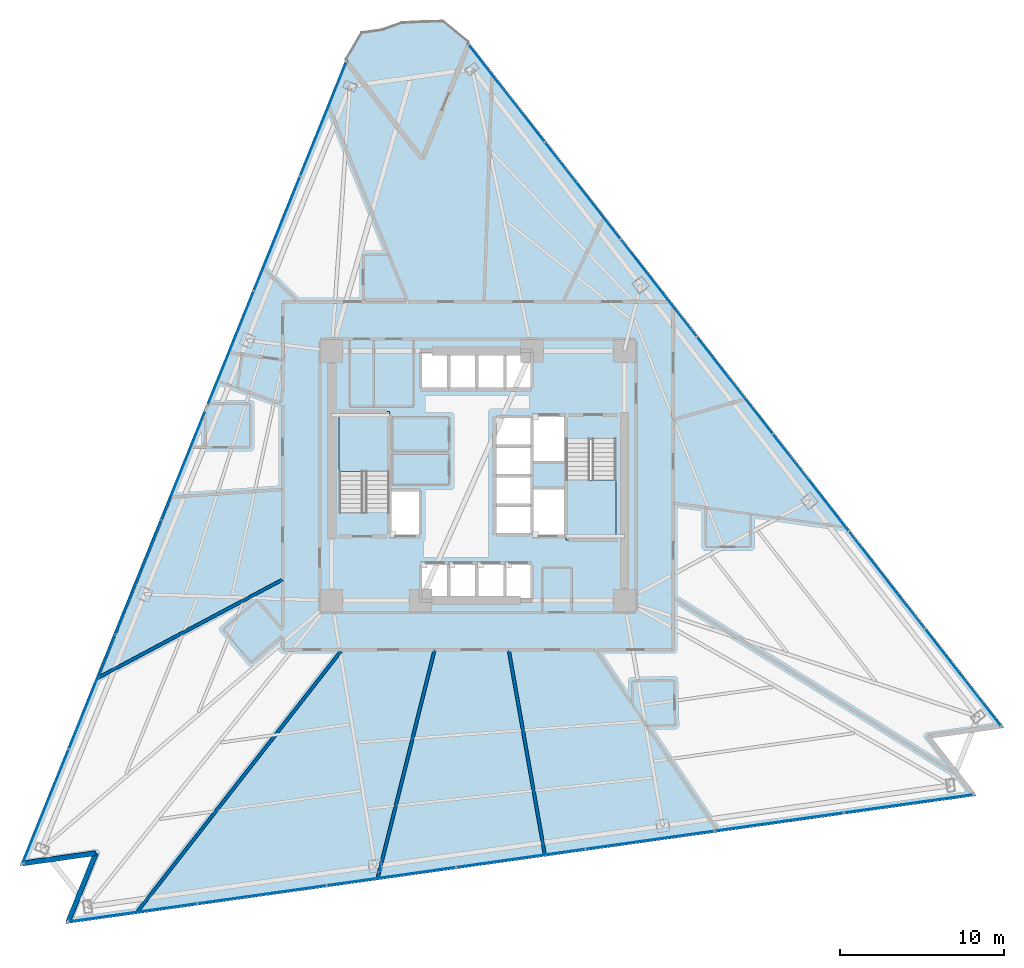
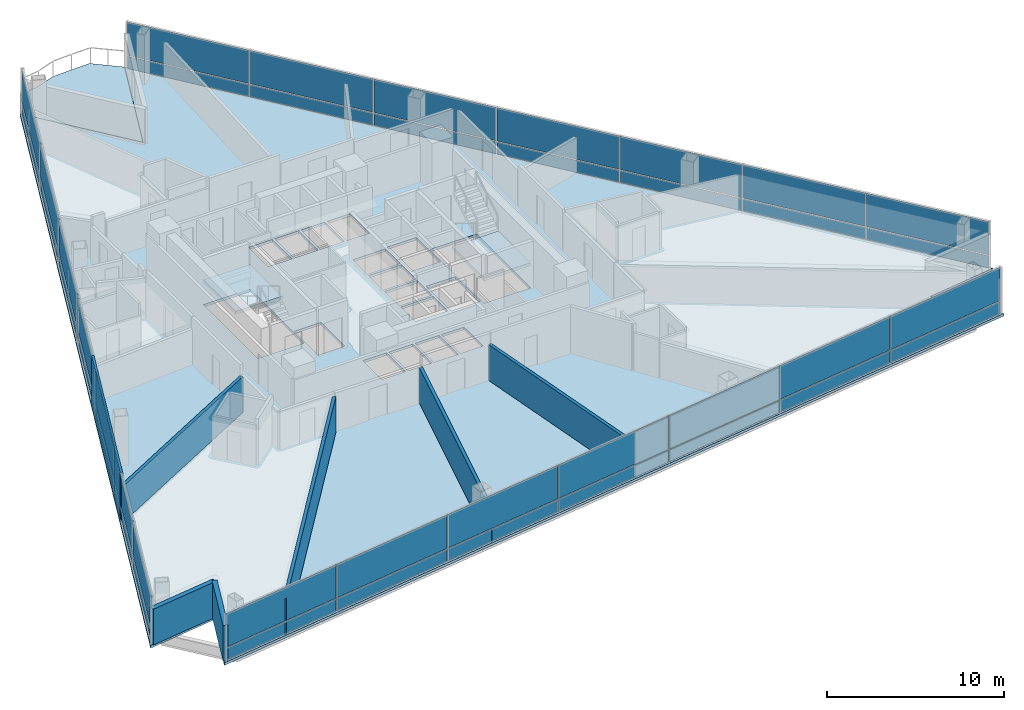
# One storey, part 6 of 15: 42 plates, 7 walls, 4 slabs, 5 elements without a shape of their own.
"""IFC4 building model written with IfcOpenShell, lengths in metres."""

import ifcopenshell
import ifcopenshell.guid

model = None  # the IFC model being written
_history = None  # IfcOwnerHistory: only IFC2X3 demands one
_inside = {}  # id of a spatial element -> (the spatial element, [elements in it])
_under = {}  # id of a project, library or spatial element -> (it, [spatial elements below it])
_declared = {}  # id of a project -> (the project, [libraries it declares])
_typed = {}  # id of a type object -> (the type object, [elements of that type])
_made_of = {}  # id of a material, layer set ... -> (it, [elements and type objects made of it])


def new_model(schema):
    """Start an empty IFC model of exactly this schema.

    Asked for "IFC4X3", IfcOpenShell would pick the latest addendum, in which some entities
    have other attributes; the version numbers below select the first issue.
    IFC2X3 requires an IfcOwnerHistory on every rooted entity: one is made here for all.
    """
    global model, _history
    if schema == "IFC4X3":
        model = ifcopenshell.file(schema_version=(4, 3, 0, 0))
    else:
        model = ifcopenshell.file(schema=schema)
    _inside.clear()
    _under.clear()
    _declared.clear()
    _typed.clear()
    _made_of.clear()
    _history = None
    if model.schema == "IFC2X3":
        org = make("IfcOrganization", Name="unknown")
        user = make(
            "IfcPersonAndOrganization",
            ThePerson=make("IfcPerson", FamilyName="unknown"),
            TheOrganization=org,
        )
        app = make(
            "IfcApplication",
            ApplicationDeveloper=org,
            Version="unknown",
            ApplicationFullName="unknown",
            ApplicationIdentifier="unknown",
        )
        _history = make(
            "IfcOwnerHistory",
            OwningUser=user,
            OwningApplication=app,
            ChangeAction="ADDED",
            CreationDate=0,
        )
    return model


def make(cls, **values):
    """One entity of the class cls with the attributes given. An attribute that is None is left unset."""
    return model.create_entity(
        cls, **{name: value for name, value in values.items() if value is not None}
    )


def rooted(cls, **values):
    """An entity with a GlobalId (a new one), such as an element, a storey or a relation."""
    return make(cls, GlobalId=ifcopenshell.guid.new(), OwnerHistory=_history, **values)


def si_unit(unit_type, name, prefix=None):
    """IfcSIUnit, for example si_unit("LENGTHUNIT", "METRE", prefix="MILLI")."""
    return make("IfcSIUnit", UnitType=unit_type, Prefix=prefix, Name=name)


def assignment(units):
    """IfcUnitAssignment: the units of a project."""
    return None if units is None else make("IfcUnitAssignment", Units=units)


def point(xyz):
    """IfcCartesianPoint."""
    return None if xyz is None else make("IfcCartesianPoint", Coordinates=xyz)


def direction(xyz):
    """IfcDirection."""
    return None if xyz is None else make("IfcDirection", DirectionRatios=xyz)


def frame(location, z_axis=None, x_axis=None):
    """IfcAxis2Placement3D, a coordinate frame: its origin and axes. An axis left out is left unset."""
    return make(
        "IfcAxis2Placement3D",
        Location=point(location),
        Axis=direction(z_axis),
        RefDirection=direction(x_axis),
    )


def frame_2d(location, x_axis=None):
    """IfcAxis2Placement2D, a coordinate frame in the plane: its origin and x axis."""
    return make(
        "IfcAxis2Placement2D", Location=point(location), RefDirection=direction(x_axis)
    )


def origin():
    """The frame at (0, 0, 0) with its axes left unset."""
    return frame((0.0, 0.0, 0.0))


def origin_2d():
    """The frame at (0, 0) in the plane with its x axis left unset."""
    return frame_2d((0.0, 0.0))


def place(relative_to, where):
    """IfcLocalPlacement: puts the frame where relative to a parent placement (None: the world)."""
    return make(
        "IfcLocalPlacement", PlacementRelTo=relative_to, RelativePlacement=where
    )


def context(
    kind, dimensions, precision=None, world=None, true_north=None, identifier=None
):
    """IfcGeometricRepresentationContext, for example the 3D "Model" context."""
    return make(
        "IfcGeometricRepresentationContext",
        ContextIdentifier=identifier,
        ContextType=kind,
        CoordinateSpaceDimension=dimensions,
        Precision=precision,
        WorldCoordinateSystem=world,
        TrueNorth=true_north,
    )


def subcontext(parent, identifier, kind, view, scale=None):
    """IfcGeometricRepresentationSubContext, for example "Body" below "Model"."""
    return make(
        "IfcGeometricRepresentationSubContext",
        ContextIdentifier=identifier,
        ContextType=kind,
        ParentContext=parent,
        TargetScale=scale,
        TargetView=view,
    )


def project(units=None, contexts=None):
    """IfcProject with its units and contexts."""
    return rooted(
        "IfcProject",
        Name="project",
        RepresentationContexts=contexts,
        UnitsInContext=assignment(units),
    )


def spatial(cls, under=None, at=None, **own):
    """A site, building, storey or space (cls), placed at a placement, below another one or the project."""
    s = rooted(cls, ObjectPlacement=at, **own)
    if under is not None:
        _under.setdefault(under.id(), (under, []))[1].append(s)
    return s


def polyline(points):
    """IfcPolyline through the points."""
    return make("IfcPolyline", Points=[point(p) for p in points])


def profile(cls, at=None, kind="AREA", **sizes):
    """A parametric profile (cls). Its sizes go by their IFC names, for example OverallWidth=200.0."""
    return make(cls, ProfileType=kind, Position=at, **sizes)


def rectangle(**sizes):
    """IfcRectangleProfileDef."""
    return profile("IfcRectangleProfileDef", **sizes)


def outline(outer, holes=None, kind="AREA"):
    """IfcArbitraryClosedProfileDef: a profile drawn as a closed curve; with holes, ...WithVoids."""
    if holes is None:
        return make("IfcArbitraryClosedProfileDef", ProfileType=kind, OuterCurve=outer)
    return make(
        "IfcArbitraryProfileDefWithVoids",
        ProfileType=kind,
        OuterCurve=outer,
        InnerCurves=holes,
    )


def extrude(swept, where, along, depth):
    """IfcExtrudedAreaSolid: the profile swept, set in the frame where, extruded along a direction by depth."""
    return make(
        "IfcExtrudedAreaSolid",
        SweptArea=swept,
        Position=where,
        ExtrudedDirection=direction(along),
        Depth=depth,
    )


def shape(context_of_items, identifier, shape_type, items):
    """IfcShapeRepresentation: the items that make up one representation, for example the "Body"."""
    return make(
        "IfcShapeRepresentation",
        ContextOfItems=context_of_items,
        RepresentationIdentifier=identifier,
        RepresentationType=shape_type,
        Items=items,
    )


def material(Name=None, Category=None):
    """IfcMaterial."""
    return make("IfcMaterial", Name=Name, Category=Category)


def layer(
    of_material, thickness, ventilated=None, Name=None, Category=None, Priority=None
):
    """IfcMaterialLayer: one layer of a wall or slab, of a material (None: an air gap)."""
    return make(
        "IfcMaterialLayer",
        Material=of_material,
        LayerThickness=thickness,
        IsVentilated=ventilated,
        Name=Name,
        Category=Category,
        Priority=Priority,
    )


def layer_set(layers, Name=None):
    """IfcMaterialLayerSet."""
    return make("IfcMaterialLayerSet", MaterialLayers=layers, LayerSetName=Name)


def made_of(thing, what):
    """Note that an element or type object is made of a material, layer set ...; save() writes the relation."""
    if what is not None:
        _made_of.setdefault(what.id(), (what, []))[1].append(thing)
    return thing


def type_object(cls, material=None, **own):
    """A type object (cls), such as IfcWallType, which elements share."""
    return made_of(rooted(cls, **own), material)


def element(
    cls,
    number,
    at=None,
    inside=None,
    cuts=None,
    type_object=None,
    material=None,
    context=None,
    identifier="Body",
    shape_type=None,
    held_by="IfcProductDefinitionShape",
    body=None,
    shapes=None,
    **own,
):
    """One element of the class cls, such as IfcWall. Its Tag is "e" and its number.

    at: its placement. inside: the storey or other place that contains it. cuts: it is an
    opening in that element (IfcRelVoidsElement). A single representation is given by context,
    identifier, shape_type and body (its items); several are given by shapes. held_by: the class
    of the entity that holds the representations. save() writes the other relations.
    """
    e = rooted(cls, Tag="e%d" % number, ObjectPlacement=at, **own)
    if body is not None:
        shapes = [shape(context, identifier, shape_type, body)]
    if shapes is not None:
        e.Representation = make(held_by, Representations=shapes)
    if inside is not None:
        _inside.setdefault(inside.id(), (inside, []))[1].append(e)
    if cuts is not None:
        rooted(
            "IfcRelVoidsElement", RelatingBuildingElement=cuts, RelatedOpeningElement=e
        )
    if type_object is not None:
        _typed.setdefault(type_object.id(), (type_object, []))[1].append(e)
    return made_of(e, material)


def aggregate(whole, parts):
    """IfcRelAggregates: a whole, such as a stair, and the parts it consists of."""
    return rooted("IfcRelAggregates", RelatingObject=whole, RelatedObjects=parts)


def save(model, path):
    """Write the relations noted so far, then the file.

    IfcRelAggregates (storeys below a building ...), IfcRelContainedInSpatialStructure (elements
    in a storey), IfcRelDefinesByType, IfcRelAssociatesMaterial and IfcRelDeclares: one each for
    every whole, place, type object, material and project.
    """
    for whole, parts in _under.values():
        aggregate(whole, parts)
    for where, things in _inside.values():
        rooted(
            "IfcRelContainedInSpatialStructure",
            RelatedElements=things,
            RelatingStructure=where,
        )
    for kind, things in _typed.values():
        rooted("IfcRelDefinesByType", RelatedObjects=things, RelatingType=kind)
    for what, things in _made_of.values():
        rooted("IfcRelAssociatesMaterial", RelatedObjects=things, RelatingMaterial=what)
    for by, libraries in _declared.values():
        rooted("IfcRelDeclares", RelatingContext=by, RelatedDefinitions=libraries)
    model.write(path)


model = new_model("IFC4")

# Units and contexts
model_context = context("Model", 3, precision=1e-05, world=origin(), true_north=direction((0.0, 1.0)))
body_context = subcontext(model_context, "Body", "Model", "MODEL_VIEW")
ifc_project = project(units=[si_unit("LENGTHUNIT", "METRE"), si_unit("AREAUNIT", "SQUARE_METRE"), si_unit("VOLUMEUNIT", "CUBIC_METRE"), si_unit("PLANEANGLEUNIT", "RADIAN"), si_unit("MASSUNIT", "GRAM", prefix="KILO")], contexts=[model_context])

# Site, building, storey
site_placement = place(None, origin())
site = spatial("IfcSite", under=ifc_project, at=site_placement, CompositionType="ELEMENT")
building_placement = place(site_placement, origin())
building = spatial("IfcBuilding", under=site, at=building_placement, Name="Tharavind Bronze Gate", CompositionType="ELEMENT")
storey_placement = place(building_placement, frame((0.0, 0.0, 67.300048828125)))
storey = spatial("IfcBuildingStorey", under=building, at=storey_placement, Name="L16", CompositionType="ELEMENT", Elevation=67.300048828125)

# Curtain wall, plates
ifc_material_1 = material(Name="Anodised Bronze Aluminium", Category="aluminium")
ifc_layer_1 = layer(ifc_material_1, 0.219970703125)
ifc_layer_set_1 = layer_set([ifc_layer_1], Name="Anodised Bronze Aluminium")
curtain_wall_type = type_object("IfcCurtainWallType", Name="UNITISED CURTAIN WALL HOTEL", PredefinedType="USERDEFINED", material=ifc_layer_set_1)
curtain_wall_1_placement = place(storey_placement, origin())
curtain_wall_1 = element("IfcCurtainWall", 1, at=curtain_wall_1_placement, inside=storey, type_object=curtain_wall_type, Name="L16 unitised curtain wall hotel CW-L16-S1", ObjectType="UNITISED CURTAIN WALL", PredefinedType="USERDEFINED")
ifc_material_2 = material(Name="Patinated Bronze Alloy Sheet", Category="bronze")
ifc_layer_2 = layer(ifc_material_2, 0.01611328125)
ifc_layer_set_2 = layer_set([ifc_layer_2], Name="Patinated Bronze Alloy Sheet")
plate_type_1 = type_object("IfcPlateType", Name="BRONZE SPANDREL CLADDING PANEL 16", PredefinedType="CURTAIN_PANEL", material=ifc_layer_set_2)
plate_1_placement = place(storey_placement, frame((-9.408203125, 21.69921875, 0.033935546875), z_axis=(0.0, 0.0, 1.0), x_axis=(-0.374606593416, -0.927183854567, 0.0)))
plate_1 = element("IfcPlate", 2, at=plate_1_placement, type_object=plate_type_1, Name="CW-L16-S1 bronze spandrel panel 1", PredefinedType="CURTAIN_PANEL", context=body_context, shape_type="SweptSolid", body=[
    extrude(rectangle(XDim=7.447021484375, YDim=0.01611328125, at=origin_2d()), origin(), (0.0, 0.0, 1.0), 0.83203125),
])
plate_2_placement = place(storey_placement, frame((-12.223388671875, 14.731201171875, 0.033935546875), z_axis=(0.0, 0.0, 1.0), x_axis=(-0.374606593416, -0.927183854567, 0.0)))
plate_2 = element("IfcPlate", 3, at=plate_2_placement, type_object=plate_type_1, Name="CW-L16-S1 bronze spandrel panel 2", PredefinedType="CURTAIN_PANEL", context=body_context, shape_type="SweptSolid", body=[
    extrude(rectangle(XDim=7.447021484375, YDim=0.01611328125, at=origin_2d()), origin(), (0.0, 0.0, 1.0), 0.83203125),
])
plate_3_placement = place(storey_placement, frame((-15.038818359375, 7.763427734375, 0.033935546875), z_axis=(0.0, 0.0, 1.0), x_axis=(-0.374606593416, -0.927183854567, 0.0)))
plate_3 = element("IfcPlate", 4, at=plate_3_placement, type_object=plate_type_1, Name="CW-L16-S1 bronze spandrel panel 3", PredefinedType="CURTAIN_PANEL", context=body_context, shape_type="SweptSolid", body=[
    extrude(rectangle(XDim=7.447021484375, YDim=0.01611328125, at=origin_2d()), origin(), (0.0, 0.0, 1.0), 0.83203125),
])
plate_4_placement = place(storey_placement, frame((-17.85400390625, 0.795654296875, 0.033935546875), z_axis=(0.0, 0.0, 1.0), x_axis=(-0.374606593416, -0.927183854567, 0.0)))
plate_4 = element("IfcPlate", 5, at=plate_4_placement, type_object=plate_type_1, Name="CW-L16-S1 bronze spandrel panel 4", PredefinedType="CURTAIN_PANEL", context=body_context, shape_type="SweptSolid", body=[
    extrude(rectangle(XDim=7.447021484375, YDim=0.01611328125, at=origin_2d()), origin(), (0.0, 0.0, 1.0), 0.83203125),
])
plate_5_placement = place(storey_placement, frame((-20.669189453125, -6.17236328125, 0.033935546875), z_axis=(0.0, 0.0, 1.0), x_axis=(-0.374606593416, -0.927183854567, 0.0)))
plate_5 = element("IfcPlate", 6, at=plate_5_placement, type_object=plate_type_1, Name="CW-L16-S1 bronze spandrel panel 5", PredefinedType="CURTAIN_PANEL", context=body_context, shape_type="SweptSolid", body=[
    extrude(rectangle(XDim=7.447021484375, YDim=0.01611328125, at=origin_2d()), origin(), (0.0, 0.0, 1.0), 0.83203125),
])
plate_6_placement = place(storey_placement, frame((-23.484375, -13.14013671875, 0.033935546875), z_axis=(0.0, 0.0, 1.0), x_axis=(-0.374606593416, -0.927183854567, 0.0)))
plate_6 = element("IfcPlate", 7, at=plate_6_placement, type_object=plate_type_1, Name="CW-L16-S1 bronze spandrel panel 6", PredefinedType="CURTAIN_PANEL", context=body_context, shape_type="SweptSolid", body=[
    extrude(rectangle(XDim=7.447021484375, YDim=0.01611328125, at=origin_2d()), origin(), (0.0, 0.0, 1.0), 0.83203125),
])
plate_7_placement = place(storey_placement, frame((-26.299560546875, -20.10791015625, 0.033935546875), z_axis=(0.0, 0.0, 1.0), x_axis=(-0.374606593416, -0.927183854567, 0.0)))
plate_7 = element("IfcPlate", 8, at=plate_7_placement, type_object=plate_type_1, Name="CW-L16-S1 bronze spandrel panel 7", PredefinedType="CURTAIN_PANEL", context=body_context, shape_type="SweptSolid", body=[
    extrude(rectangle(XDim=7.447021484375, YDim=0.01611328125, at=origin_2d()), origin(), (0.0, 0.0, 1.0), 0.83203125),
])

curtain_wall_2_placement = place(storey_placement, origin())
curtain_wall_2 = element("IfcCurtainWall", 9, at=curtain_wall_2_placement, inside=storey, type_object=curtain_wall_type, Name="L16 unitised curtain wall hotel CW-L16-S2", ObjectType="UNITISED CURTAIN WALL", PredefinedType="USERDEFINED")
plate_8_placement = place(storey_placement, frame((-21.00341796875, -26.585205078125, 0.033935546875), z_axis=(0.0, 0.0, 1.0), x_axis=(0.990268068742, 0.13917310096, 0.0)))
plate_8 = element("IfcPlate", 10, at=plate_8_placement, type_object=plate_type_1, Name="CW-L16-S2 bronze spandrel panel 1", PredefinedType="CURTAIN_PANEL", context=body_context, shape_type="SweptSolid", body=[
    extrude(rectangle(XDim=7.87548828125, YDim=0.01611328125, at=origin_2d()), origin(), (0.0, 0.0, 1.0), 0.83203125),
])
plate_9_placement = place(storey_placement, frame((-13.13720703125, -25.4794921875, 0.033935546875), z_axis=(0.0, 0.0, 1.0), x_axis=(0.990268068742, 0.13917310096, 0.0)))
plate_9 = element("IfcPlate", 11, at=plate_9_placement, type_object=plate_type_1, Name="CW-L16-S2 bronze spandrel panel 2", PredefinedType="CURTAIN_PANEL", context=body_context, shape_type="SweptSolid", body=[
    extrude(rectangle(XDim=7.87548828125, YDim=0.01611328125, at=origin_2d()), origin(), (0.0, 0.0, 1.0), 0.83203125),
])
plate_10_placement = place(storey_placement, frame((-5.270751953125, -24.3740234375, 0.033935546875), z_axis=(0.0, 0.0, 1.0), x_axis=(0.990268068742, 0.13917310096, 0.0)))
plate_10 = element("IfcPlate", 12, at=plate_10_placement, type_object=plate_type_1, Name="CW-L16-S2 bronze spandrel panel 3", PredefinedType="CURTAIN_PANEL", context=body_context, shape_type="SweptSolid", body=[
    extrude(rectangle(XDim=7.87548828125, YDim=0.01611328125, at=origin_2d()), origin(), (0.0, 0.0, 1.0), 0.83203125),
])
plate_11_placement = place(storey_placement, frame((2.595703125, -23.2685546875, 0.033935546875), z_axis=(0.0, 0.0, 1.0), x_axis=(0.990268068742, 0.13917310096, 0.0)))
plate_11 = element("IfcPlate", 13, at=plate_11_placement, type_object=plate_type_1, Name="CW-L16-S2 bronze spandrel panel 4", PredefinedType="CURTAIN_PANEL", context=body_context, shape_type="SweptSolid", body=[
    extrude(rectangle(XDim=7.87548828125, YDim=0.01611328125, at=origin_2d()), origin(), (0.0, 0.0, 1.0), 0.83203125),
])
plate_12_placement = place(storey_placement, frame((10.4619140625, -22.1630859375, 0.033935546875), z_axis=(0.0, 0.0, 1.0), x_axis=(0.990268068742, 0.13917310096, 0.0)))
plate_12 = element("IfcPlate", 14, at=plate_12_placement, type_object=plate_type_1, Name="CW-L16-S2 bronze spandrel panel 5", PredefinedType="CURTAIN_PANEL", context=body_context, shape_type="SweptSolid", body=[
    extrude(rectangle(XDim=7.87548828125, YDim=0.01611328125, at=origin_2d()), origin(), (0.0, 0.0, 1.0), 0.83203125),
])
plate_13_placement = place(storey_placement, frame((18.328369140625, -21.057373046875, 0.033935546875), z_axis=(0.0, 0.0, 1.0), x_axis=(0.990268068742, 0.13917310096, 0.0)))
plate_13 = element("IfcPlate", 15, at=plate_13_placement, type_object=plate_type_1, Name="CW-L16-S2 bronze spandrel panel 6", PredefinedType="CURTAIN_PANEL", context=body_context, shape_type="SweptSolid", body=[
    extrude(rectangle(XDim=7.87548828125, YDim=0.01611328125, at=origin_2d()), origin(), (0.0, 0.0, 1.0), 0.83203125),
])
plate_14_placement = place(storey_placement, frame((26.194580078125, -19.951904296875, 0.033935546875), z_axis=(0.0, 0.0, 1.0), x_axis=(0.990268068742, 0.13917310096, 0.0)))
plate_14 = element("IfcPlate", 16, at=plate_14_placement, type_object=plate_type_1, Name="CW-L16-S2 bronze spandrel panel 7", PredefinedType="CURTAIN_PANEL", context=body_context, shape_type="SweptSolid", body=[
    extrude(rectangle(XDim=7.87548828125, YDim=0.01611328125, at=origin_2d()), origin(), (0.0, 0.0, 1.0), 0.83203125),
])

curtain_wall_3_placement = place(storey_placement, origin())
curtain_wall_3 = element("IfcCurtainWall", 17, at=curtain_wall_3_placement, inside=storey, type_object=curtain_wall_type, Name="L16 unitised curtain wall hotel CW-L16-S3", ObjectType="UNITISED CURTAIN WALL", PredefinedType="USERDEFINED")
plate_15_placement = place(storey_placement, frame((29.5, -12.265869140625, 0.033935546875), z_axis=(0.0, 0.0, 1.0), x_axis=(-0.615661475326, 0.788010753607, 0.0)))
plate_15 = element("IfcPlate", 18, at=plate_15_placement, type_object=plate_type_1, Name="CW-L16-S3 bronze spandrel panel 1", PredefinedType="CURTAIN_PANEL", context=body_context, shape_type="SweptSolid", body=[
    extrude(rectangle(XDim=7.447021484375, YDim=0.01611328125, at=origin_2d()), origin(), (0.0, 0.0, 1.0), 0.83203125),
])
plate_16_placement = place(storey_placement, frame((24.873291015625, -6.343994140625, 0.033935546875), z_axis=(0.0, 0.0, 1.0), x_axis=(-0.615661475326, 0.788010753607, 0.0)))
plate_16 = element("IfcPlate", 19, at=plate_16_placement, type_object=plate_type_1, Name="CW-L16-S3 bronze spandrel panel 2", PredefinedType="CURTAIN_PANEL", context=body_context, shape_type="SweptSolid", body=[
    extrude(rectangle(XDim=7.447021484375, YDim=0.01611328125, at=origin_2d()), origin(), (0.0, 0.0, 1.0), 0.83203125),
])
plate_17_placement = place(storey_placement, frame((20.24658203125, -0.421875, 0.033935546875), z_axis=(0.0, 0.0, 1.0), x_axis=(-0.615661475326, 0.788010753607, 0.0)))
plate_17 = element("IfcPlate", 20, at=plate_17_placement, type_object=plate_type_1, Name="CW-L16-S3 bronze spandrel panel 3", PredefinedType="CURTAIN_PANEL", context=body_context, shape_type="SweptSolid", body=[
    extrude(rectangle(XDim=7.447021484375, YDim=0.01611328125, at=origin_2d()), origin(), (0.0, 0.0, 1.0), 0.83203125),
])
plate_18_placement = place(storey_placement, frame((15.619873046875, 5.5, 0.033935546875), z_axis=(0.0, 0.0, 1.0), x_axis=(-0.615661475326, 0.788010753607, 0.0)))
plate_18 = element("IfcPlate", 21, at=plate_18_placement, type_object=plate_type_1, Name="CW-L16-S3 bronze spandrel panel 4", PredefinedType="CURTAIN_PANEL", context=body_context, shape_type="SweptSolid", body=[
    extrude(rectangle(XDim=7.447021484375, YDim=0.01611328125, at=origin_2d()), origin(), (0.0, 0.0, 1.0), 0.83203125),
])
plate_19_placement = place(storey_placement, frame((10.9931640625, 11.422119140625, 0.033935546875), z_axis=(0.0, 0.0, 1.0), x_axis=(-0.615661475326, 0.788010753607, 0.0)))
plate_19 = element("IfcPlate", 22, at=plate_19_placement, type_object=plate_type_1, Name="CW-L16-S3 bronze spandrel panel 5", PredefinedType="CURTAIN_PANEL", context=body_context, shape_type="SweptSolid", body=[
    extrude(rectangle(XDim=7.447021484375, YDim=0.01611328125, at=origin_2d()), origin(), (0.0, 0.0, 1.0), 0.83203125),
])
plate_20_placement = place(storey_placement, frame((6.366455078125, 17.343994140625, 0.033935546875), z_axis=(0.0, 0.0, 1.0), x_axis=(-0.615661475326, 0.788010753607, 0.0)))
plate_20 = element("IfcPlate", 23, at=plate_20_placement, type_object=plate_type_1, Name="CW-L16-S3 bronze spandrel panel 6", PredefinedType="CURTAIN_PANEL", context=body_context, shape_type="SweptSolid", body=[
    extrude(rectangle(XDim=7.447021484375, YDim=0.01611328125, at=origin_2d()), origin(), (0.0, 0.0, 1.0), 0.83203125),
])
plate_21_placement = place(storey_placement, frame((1.73974609375, 23.265869140625, 0.033935546875), z_axis=(0.0, 0.0, 1.0), x_axis=(-0.615661475326, 0.788010753607, 0.0)))
plate_21 = element("IfcPlate", 24, at=plate_21_placement, type_object=plate_type_1, Name="CW-L16-S3 bronze spandrel panel 7", PredefinedType="CURTAIN_PANEL", context=body_context, shape_type="SweptSolid", body=[
    extrude(rectangle(XDim=7.447021484375, YDim=0.01611328125, at=origin_2d()), origin(), (0.0, 0.0, 1.0), 0.83203125),
])

# Plate
ifc_material_3 = material(Name="Low-E Double Glazing", Category="glass")
ifc_layer_3 = layer(ifc_material_3, 0.031982421875)
ifc_layer_set_3 = layer_set([ifc_layer_3], Name="Low-E Double Glazing")
plate_type_2 = type_object("IfcPlateType", Name="DOUBLE GLAZED FACADE PANEL 32", PredefinedType="CURTAIN_PANEL", material=ifc_layer_set_3)
plate_22_placement = place(storey_placement, frame((-9.408203125, 21.69921875, 0.93408203125), z_axis=(0.0, 0.0, 1.0), x_axis=(-0.374606593416, -0.927183854567, 0.0)))
plate_22 = element("IfcPlate", 25, at=plate_22_placement, type_object=plate_type_2, Name="CW-L16-S1 vision glazing panel 1", PredefinedType="CURTAIN_PANEL", context=body_context, shape_type="SweptSolid", body=[
    extrude(rectangle(XDim=7.447021484375, YDim=0.031982421875, at=origin_2d()), origin(), (0.0, 0.0, 1.0), 2.306884765625),
])

plate_23_placement = place(storey_placement, frame((-12.223388671875, 14.731201171875, 0.93408203125), z_axis=(0.0, 0.0, 1.0), x_axis=(-0.374606593416, -0.927183854567, 0.0)))
plate_23 = element("IfcPlate", 26, at=plate_23_placement, type_object=plate_type_2, Name="CW-L16-S1 vision glazing panel 2", PredefinedType="CURTAIN_PANEL", context=body_context, shape_type="SweptSolid", body=[
    extrude(rectangle(XDim=7.447021484375, YDim=0.031982421875, at=origin_2d()), origin(), (0.0, 0.0, 1.0), 2.306884765625),
])

plate_24_placement = place(storey_placement, frame((-15.038818359375, 7.763427734375, 0.93408203125), z_axis=(0.0, 0.0, 1.0), x_axis=(-0.374606593416, -0.927183854567, 0.0)))
plate_24 = element("IfcPlate", 27, at=plate_24_placement, type_object=plate_type_2, Name="CW-L16-S1 vision glazing panel 3", PredefinedType="CURTAIN_PANEL", context=body_context, shape_type="SweptSolid", body=[
    extrude(rectangle(XDim=7.447021484375, YDim=0.031982421875, at=origin_2d()), origin(), (0.0, 0.0, 1.0), 2.306884765625),
])

plate_25_placement = place(storey_placement, frame((-17.85400390625, 0.795654296875, 0.93408203125), z_axis=(0.0, 0.0, 1.0), x_axis=(-0.374606593416, -0.927183854567, 0.0)))
plate_25 = element("IfcPlate", 28, at=plate_25_placement, type_object=plate_type_2, Name="CW-L16-S1 vision glazing panel 4", PredefinedType="CURTAIN_PANEL", context=body_context, shape_type="SweptSolid", body=[
    extrude(rectangle(XDim=7.447021484375, YDim=0.031982421875, at=origin_2d()), origin(), (0.0, 0.0, 1.0), 2.306884765625),
])

plate_26_placement = place(storey_placement, frame((-20.669189453125, -6.17236328125, 0.93408203125), z_axis=(0.0, 0.0, 1.0), x_axis=(-0.374606593416, -0.927183854567, 0.0)))
plate_26 = element("IfcPlate", 29, at=plate_26_placement, type_object=plate_type_2, Name="CW-L16-S1 vision glazing panel 5", PredefinedType="CURTAIN_PANEL", context=body_context, shape_type="SweptSolid", body=[
    extrude(rectangle(XDim=7.447021484375, YDim=0.031982421875, at=origin_2d()), origin(), (0.0, 0.0, 1.0), 2.306884765625),
])

plate_27_placement = place(storey_placement, frame((-23.484375, -13.14013671875, 0.93408203125), z_axis=(0.0, 0.0, 1.0), x_axis=(-0.374606593416, -0.927183854567, 0.0)))
plate_27 = element("IfcPlate", 30, at=plate_27_placement, type_object=plate_type_2, Name="CW-L16-S1 vision glazing panel 6", PredefinedType="CURTAIN_PANEL", context=body_context, shape_type="SweptSolid", body=[
    extrude(rectangle(XDim=7.447021484375, YDim=0.031982421875, at=origin_2d()), origin(), (0.0, 0.0, 1.0), 2.306884765625),
])

plate_28_placement = place(storey_placement, frame((-26.299560546875, -20.10791015625, 0.93408203125), z_axis=(0.0, 0.0, 1.0), x_axis=(-0.374606593416, -0.927183854567, 0.0)))
plate_28 = element("IfcPlate", 31, at=plate_28_placement, type_object=plate_type_2, Name="CW-L16-S1 vision glazing panel 7", PredefinedType="CURTAIN_PANEL", context=body_context, shape_type="SweptSolid", body=[
    extrude(rectangle(XDim=7.447021484375, YDim=0.031982421875, at=origin_2d()), origin(), (0.0, 0.0, 1.0), 2.306884765625),
])

aggregate(curtain_wall_1, [plate_1, plate_22, plate_2, plate_23, plate_3, plate_24, plate_4, plate_25, plate_5, plate_26, plate_6, plate_27, plate_7, plate_28])

plate_29_placement = place(storey_placement, frame((-21.00341796875, -26.585205078125, 0.93408203125), z_axis=(0.0, 0.0, 1.0), x_axis=(0.990268068742, 0.13917310096, 0.0)))
plate_29 = element("IfcPlate", 32, at=plate_29_placement, type_object=plate_type_2, Name="CW-L16-S2 vision glazing panel 1", PredefinedType="CURTAIN_PANEL", context=body_context, shape_type="SweptSolid", body=[
    extrude(rectangle(XDim=7.87548828125, YDim=0.031982421875, at=origin_2d()), origin(), (0.0, 0.0, 1.0), 2.306884765625),
])

plate_30_placement = place(storey_placement, frame((-13.13720703125, -25.4794921875, 0.93408203125), z_axis=(0.0, 0.0, 1.0), x_axis=(0.990268068742, 0.13917310096, 0.0)))
plate_30 = element("IfcPlate", 33, at=plate_30_placement, type_object=plate_type_2, Name="CW-L16-S2 vision glazing panel 2", PredefinedType="CURTAIN_PANEL", context=body_context, shape_type="SweptSolid", body=[
    extrude(rectangle(XDim=7.87548828125, YDim=0.031982421875, at=origin_2d()), origin(), (0.0, 0.0, 1.0), 2.306884765625),
])

plate_31_placement = place(storey_placement, frame((-5.270751953125, -24.3740234375, 0.93408203125), z_axis=(0.0, 0.0, 1.0), x_axis=(0.990268068742, 0.13917310096, 0.0)))
plate_31 = element("IfcPlate", 34, at=plate_31_placement, type_object=plate_type_2, Name="CW-L16-S2 vision glazing panel 3", PredefinedType="CURTAIN_PANEL", context=body_context, shape_type="SweptSolid", body=[
    extrude(rectangle(XDim=7.87548828125, YDim=0.031982421875, at=origin_2d()), origin(), (0.0, 0.0, 1.0), 2.306884765625),
])

plate_32_placement = place(storey_placement, frame((2.595703125, -23.2685546875, 0.93408203125), z_axis=(0.0, 0.0, 1.0), x_axis=(0.990268068742, 0.13917310096, 0.0)))
plate_32 = element("IfcPlate", 35, at=plate_32_placement, type_object=plate_type_2, Name="CW-L16-S2 vision glazing panel 4", PredefinedType="CURTAIN_PANEL", context=body_context, shape_type="SweptSolid", body=[
    extrude(rectangle(XDim=7.87548828125, YDim=0.031982421875, at=origin_2d()), origin(), (0.0, 0.0, 1.0), 2.306884765625),
])

plate_33_placement = place(storey_placement, frame((10.4619140625, -22.1630859375, 0.93408203125), z_axis=(0.0, 0.0, 1.0), x_axis=(0.990268068742, 0.13917310096, 0.0)))
plate_33 = element("IfcPlate", 36, at=plate_33_placement, type_object=plate_type_2, Name="CW-L16-S2 vision glazing panel 5", PredefinedType="CURTAIN_PANEL", context=body_context, shape_type="SweptSolid", body=[
    extrude(rectangle(XDim=7.87548828125, YDim=0.031982421875, at=origin_2d()), origin(), (0.0, 0.0, 1.0), 2.306884765625),
])

plate_34_placement = place(storey_placement, frame((18.328369140625, -21.057373046875, 0.93408203125), z_axis=(0.0, 0.0, 1.0), x_axis=(0.990268068742, 0.13917310096, 0.0)))
plate_34 = element("IfcPlate", 37, at=plate_34_placement, type_object=plate_type_2, Name="CW-L16-S2 vision glazing panel 6", PredefinedType="CURTAIN_PANEL", context=body_context, shape_type="SweptSolid", body=[
    extrude(rectangle(XDim=7.87548828125, YDim=0.031982421875, at=origin_2d()), origin(), (0.0, 0.0, 1.0), 2.306884765625),
])

plate_35_placement = place(storey_placement, frame((26.194580078125, -19.951904296875, 0.93408203125), z_axis=(0.0, 0.0, 1.0), x_axis=(0.990268068742, 0.13917310096, 0.0)))
plate_35 = element("IfcPlate", 38, at=plate_35_placement, type_object=plate_type_2, Name="CW-L16-S2 vision glazing panel 7", PredefinedType="CURTAIN_PANEL", context=body_context, shape_type="SweptSolid", body=[
    extrude(rectangle(XDim=7.87548828125, YDim=0.031982421875, at=origin_2d()), origin(), (0.0, 0.0, 1.0), 2.306884765625),
])

aggregate(curtain_wall_2, [plate_8, plate_29, plate_9, plate_30, plate_10, plate_31, plate_11, plate_32, plate_12, plate_33, plate_13, plate_34, plate_14, plate_35])

plate_36_placement = place(storey_placement, frame((29.5, -12.265869140625, 0.93408203125), z_axis=(0.0, 0.0, 1.0), x_axis=(-0.615661475326, 0.788010753607, 0.0)))
plate_36 = element("IfcPlate", 39, at=plate_36_placement, type_object=plate_type_2, Name="CW-L16-S3 vision glazing panel 1", PredefinedType="CURTAIN_PANEL", context=body_context, shape_type="SweptSolid", body=[
    extrude(rectangle(XDim=7.447021484375, YDim=0.031982421875, at=origin_2d()), origin(), (0.0, 0.0, 1.0), 2.306884765625),
])

plate_37_placement = place(storey_placement, frame((24.873291015625, -6.343994140625, 0.93408203125), z_axis=(0.0, 0.0, 1.0), x_axis=(-0.615661475326, 0.788010753607, 0.0)))
plate_37 = element("IfcPlate", 40, at=plate_37_placement, type_object=plate_type_2, Name="CW-L16-S3 vision glazing panel 2", PredefinedType="CURTAIN_PANEL", context=body_context, shape_type="SweptSolid", body=[
    extrude(rectangle(XDim=7.447021484375, YDim=0.031982421875, at=origin_2d()), origin(), (0.0, 0.0, 1.0), 2.306884765625),
])

plate_38_placement = place(storey_placement, frame((20.24658203125, -0.421875, 0.93408203125), z_axis=(0.0, 0.0, 1.0), x_axis=(-0.615661475326, 0.788010753607, 0.0)))
plate_38 = element("IfcPlate", 41, at=plate_38_placement, type_object=plate_type_2, Name="CW-L16-S3 vision glazing panel 3", PredefinedType="CURTAIN_PANEL", context=body_context, shape_type="SweptSolid", body=[
    extrude(rectangle(XDim=7.447021484375, YDim=0.031982421875, at=origin_2d()), origin(), (0.0, 0.0, 1.0), 2.306884765625),
])

plate_39_placement = place(storey_placement, frame((15.619873046875, 5.5, 0.93408203125), z_axis=(0.0, 0.0, 1.0), x_axis=(-0.615661475326, 0.788010753607, 0.0)))
plate_39 = element("IfcPlate", 42, at=plate_39_placement, type_object=plate_type_2, Name="CW-L16-S3 vision glazing panel 4", PredefinedType="CURTAIN_PANEL", context=body_context, shape_type="SweptSolid", body=[
    extrude(rectangle(XDim=7.447021484375, YDim=0.031982421875, at=origin_2d()), origin(), (0.0, 0.0, 1.0), 2.306884765625),
])

plate_40_placement = place(storey_placement, frame((10.9931640625, 11.422119140625, 0.93408203125), z_axis=(0.0, 0.0, 1.0), x_axis=(-0.615661475326, 0.788010753607, 0.0)))
plate_40 = element("IfcPlate", 43, at=plate_40_placement, type_object=plate_type_2, Name="CW-L16-S3 vision glazing panel 5", PredefinedType="CURTAIN_PANEL", context=body_context, shape_type="SweptSolid", body=[
    extrude(rectangle(XDim=7.447021484375, YDim=0.031982421875, at=origin_2d()), origin(), (0.0, 0.0, 1.0), 2.306884765625),
])

plate_41_placement = place(storey_placement, frame((6.366455078125, 17.343994140625, 0.93408203125), z_axis=(0.0, 0.0, 1.0), x_axis=(-0.615661475326, 0.788010753607, 0.0)))
plate_41 = element("IfcPlate", 44, at=plate_41_placement, type_object=plate_type_2, Name="CW-L16-S3 vision glazing panel 6", PredefinedType="CURTAIN_PANEL", context=body_context, shape_type="SweptSolid", body=[
    extrude(rectangle(XDim=7.447021484375, YDim=0.031982421875, at=origin_2d()), origin(), (0.0, 0.0, 1.0), 2.306884765625),
])

plate_42_placement = place(storey_placement, frame((1.73974609375, 23.265869140625, 0.93408203125), z_axis=(0.0, 0.0, 1.0), x_axis=(-0.615661475326, 0.788010753607, 0.0)))
plate_42 = element("IfcPlate", 45, at=plate_42_placement, type_object=plate_type_2, Name="CW-L16-S3 vision glazing panel 7", PredefinedType="CURTAIN_PANEL", context=body_context, shape_type="SweptSolid", body=[
    extrude(rectangle(XDim=7.447021484375, YDim=0.031982421875, at=origin_2d()), origin(), (0.0, 0.0, 1.0), 2.306884765625),
])

aggregate(curtain_wall_3, [plate_15, plate_36, plate_16, plate_37, plate_17, plate_38, plate_18, plate_39, plate_19, plate_40, plate_20, plate_41, plate_21, plate_42])

# Slab
ifc_material_4 = material(Name="Concrete C40/50", Category="concrete")
ifc_layer_4 = layer(ifc_material_4, 0.175048828125)
ifc_layer_set_4 = layer_set([ifc_layer_4], Name="Concrete C40/50")
slab_type_1 = type_object("IfcSlabType", Name="EXTERIOR BALCONY SLAB 175", PredefinedType="FLOOR", material=ifc_layer_set_4)
slab_1_placement = place(storey_placement, frame((0.0, 0.0, -0.175048828125)))
element("IfcSlab", 46, at=slab_1_placement, inside=storey, type_object=slab_type_1, Name="L16 northeast tree balcony slab", PredefinedType="FLOOR", context=body_context, shape_type="SweptSolid", body=[
    extrude(outline(polyline([(-2.13671875, 27.72412109375), (-3.39501953125, 27.6962890625), (-4.648681640625, 27.6337890625), (-5.85009765625, 27.2021484375), (-7.088134765625, 27.028076171875), (-8.028564453125, 25.381103515625), (-3.4111328125, 19.47119140625), (-0.6015625, 26.425048828125), (-2.13671875, 27.72412109375)])), origin(), (0.0, 0.0, 1.0), 0.175048828125),
])

# Stair, slab
stair_type = type_object("IfcStairType", Name="CORE HALF TURN STAIR 1450", PredefinedType="HALF_TURN_STAIR", material=ifc_material_4)
stair_1_placement = place(storey_placement, origin())
stair_1 = element("IfcStair", 47, at=stair_1_placement, inside=storey, type_object=stair_type, Name="L16 Protected Exit Stair ST1", PredefinedType="HALF_TURN_STAIR")
ifc_layer_5 = layer(ifc_material_4, 0.199951171875)
ifc_layer_set_5 = layer_set([ifc_layer_5], Name="Concrete C40/50")
slab_type_2 = type_object("IfcSlabType", Name="STAIR LANDING SLAB 200", PredefinedType="LANDING", material=ifc_layer_set_5)
slab_2_placement = place(storey_placement, frame((0.0, 0.0, 1.52490234375)))
slab_2 = element("IfcSlab", 48, at=slab_2_placement, type_object=slab_type_2, Name="ST1 landing 1", PredefinedType="LANDING", context=body_context, shape_type="SweptSolid", body=[
    extrude(outline(polyline([(-5.39990234375, 0.27001953125), (-5.39990234375, 3.89990234375), (-8.449951171875, 3.89990234375), (-8.449951171875, 0.27001953125), (-5.39990234375, 0.27001953125)])), origin(), (0.0, 0.0, 1.0), 0.199951171875),
])
aggregate(stair_1, [slab_2])

stair_2_placement = place(storey_placement, origin())
stair_2 = element("IfcStair", 49, at=stair_2_placement, inside=storey, type_object=stair_type, Name="L16 Protected Exit Stair ST2", PredefinedType="HALF_TURN_STAIR")
slab_3_placement = place(storey_placement, frame((0.0, 0.0, 1.52490234375)))
slab_3 = element("IfcSlab", 50, at=slab_3_placement, type_object=slab_type_2, Name="ST2 landing 1", PredefinedType="LANDING", context=body_context, shape_type="SweptSolid", body=[
    extrude(outline(polyline([(5.35009765625, -0.27001953125), (5.35009765625, -3.89990234375), (8.39990234375, -3.89990234375), (8.39990234375, -0.27001953125), (5.35009765625, -0.27001953125)])), origin(), (0.0, 0.0, 1.0), 0.199951171875),
])
aggregate(stair_2, [slab_3])

# Slab
ifc_layer_6 = layer(ifc_material_4, 0.175048828125)
ifc_layer_set_6 = layer_set([ifc_layer_6], Name="Concrete C40/50")
slab_type_3 = type_object("IfcSlabType", Name="STRUCTURAL FLOOR SLAB 175", PredefinedType="FLOOR", material=ifc_layer_set_6)
slab_4_placement = place(storey_placement, frame((0.0, 0.0, -0.175048828125)))
element("IfcSlab", 51, at=slab_4_placement, inside=storey, type_object=slab_type_3, Name="L16 main structural floor slab", PredefinedType="FLOOR", context=body_context, shape_type="SweptSolid", body=[
    extrude(outline(polyline([(-0.6015625, 26.425048828125), (-3.4111328125, 19.47119140625), (-8.028564453125, 25.381103515625), (-27.86474609375, -23.715087890625), (-23.408447265625, -23.088623046875), (-25.09423828125, -27.260986328125), (30.313232421875, -19.47412109375), (27.542724609375, -15.927978515625), (31.998779296875, -15.3017578125), (-0.6015625, 26.425048828125)]), holes=[polyline([(-5.39990234375, -2.215087890625), (-5.39990234375, 3.89990234375), (-8.449951171875, 3.89990234375), (-8.449951171875, -2.215087890625), (-5.39990234375, -2.215087890625)]), polyline([(5.35009765625, 2.215087890625), (5.35009765625, -3.89990234375), (8.39990234375, -3.89990234375), (8.39990234375, 2.215087890625), (5.35009765625, 2.215087890625)]), polyline([(-3.419921875, -7.52001953125), (-1.867431640625, -7.52001953125), (-1.867431640625, -5.3798828125), (-3.419921875, -5.3798828125), (-3.419921875, -7.52001953125)]), polyline([(-1.70751953125, -7.52001953125), (-0.155029296875, -7.52001953125), (-0.155029296875, -5.3798828125), (-1.70751953125, -5.3798828125), (-1.70751953125, -7.52001953125)]), polyline([(0.0048828125, -7.52001953125), (1.5576171875, -7.52001953125), (1.5576171875, -5.3798828125), (0.0048828125, -5.3798828125), (0.0048828125, -7.52001953125)]), polyline([(1.717529296875, -7.52001953125), (3.199951171875, -7.52001953125), (3.199951171875, -5.3798828125), (1.717529296875, -5.3798828125), (1.717529296875, -7.52001953125)]), polyline([(-3.419921875, 5.330078125), (-1.867431640625, 5.330078125), (-1.867431640625, 7.52001953125), (-3.419921875, 7.52001953125), (-3.419921875, 5.330078125)]), polyline([(-1.70751953125, 5.330078125), (-0.155029296875, 5.330078125), (-0.155029296875, 7.52001953125), (-1.70751953125, 7.52001953125), (-1.70751953125, 5.330078125)]), polyline([(0.0048828125, 5.330078125), (1.5576171875, 5.330078125), (1.5576171875, 7.52001953125), (0.0048828125, 7.52001953125), (0.0048828125, 5.330078125)]), polyline([(1.717529296875, 5.330078125), (3.199951171875, 5.330078125), (3.199951171875, 7.52001953125), (1.717529296875, 7.52001953125), (1.717529296875, 5.330078125)]), polyline([(1.080078125, -3.52001953125), (3.199951171875, -3.52001953125), (3.199951171875, -1.8798828125), (1.080078125, -1.8798828125), (1.080078125, -3.52001953125)]), polyline([(1.080078125, -1.719970703125), (3.199951171875, -1.719970703125), (3.199951171875, -0.080078125), (1.080078125, -0.080078125), (1.080078125, -1.719970703125)]), polyline([(1.080078125, 0.080078125), (3.199951171875, 0.080078125), (3.199951171875, 1.719970703125), (1.080078125, 1.719970703125), (1.080078125, 0.080078125)]), polyline([(1.080078125, 1.8798828125), (3.199951171875, 1.8798828125), (3.199951171875, 3.52001953125), (1.080078125, 3.52001953125), (1.080078125, 1.8798828125)]), polyline([(-5.320068359375, -3.6201171875), (-3.580078125, -3.6201171875), (-3.580078125, -0.929931640625), (-5.320068359375, -0.929931640625), (-5.320068359375, -3.6201171875)]), polyline([(3.360107421875, 0.8798828125), (5.27001953125, 0.8798828125), (5.27001953125, 3.6201171875), (3.360107421875, 3.6201171875), (3.360107421875, 0.8798828125)]), polyline([(3.360107421875, -3.6201171875), (5.27001953125, -3.6201171875), (5.27001953125, -0.830078125), (3.360107421875, -0.830078125), (3.360107421875, -3.6201171875)])]), origin(), (0.0, 0.0, 1.0), 0.175048828125),
])

# Walls
ifc_layer_7 = layer(ifc_material_4, 0.300048828125)
ifc_layer_set_7 = layer_set([ifc_layer_7], Name="Concrete C40/50")
wall_type_1 = type_object("IfcWallType", Name="EXTERIOR SPANDREL WALL 300", PredefinedType="STANDARD", material=ifc_layer_set_7)
wall_1_placement = place(storey_placement, frame((-27.70703125, -23.591796875, 0.0), z_axis=(0.0, 0.0, 1.0), x_axis=(0.990269200152, 0.139165050317, 0.0)))
element("IfcWall", 52, at=wall_1_placement, inside=storey, type_object=wall_type_1, Name="L16 notch cheek wall 2A", PredefinedType="STANDARD", context=body_context, shape_type="SweptSolid", body=[
    extrude(rectangle(XDim=4.499755859375, YDim=0.300048828125, at=frame_2d((2.25, 0.0))), origin(), (0.0, 0.0, 1.0), 2.469970703125),
])
wall_2_placement = place(storey_placement, frame((-23.2509765625, -22.965576171875, 0.0), z_axis=(0.0, 0.0, 1.0), x_axis=(-0.374568898324, -0.927199083481, 0.0)))
element("IfcWall", 53, at=wall_2_placement, inside=storey, type_object=wall_type_1, Name="L16 notch cheek wall 2B", PredefinedType="STANDARD", context=body_context, shape_type="SweptSolid", body=[
    extrude(rectangle(XDim=4.5, YDim=0.300048828125, at=frame_2d((2.25, 0.0))), origin(), (0.0, 0.0, 1.0), 2.469970703125),
])
ifc_material_5 = material(Name="Aerated Concrete Block", Category="concrete")
ifc_layer_8 = layer(ifc_material_5, 0.199951171875)
ifc_layer_set_8 = layer_set([ifc_layer_8], Name="Aerated Concrete Block")
wall_type_2 = type_object("IfcWallType", Name="FIRE RATED PARTITION 200", PredefinedType="PARTITIONING", material=ifc_layer_set_8)
wall_3_placement = place(storey_placement, frame((-11.893310546875, -6.32373046875, 0.0), z_axis=(0.0, 0.0, 1.0), x_axis=(-0.882946043117, -0.469474477416, 0.0)))
element("IfcWall", 54, at=wall_3_placement, inside=storey, type_object=wall_type_2, Name="L16 Public Restrooms Block partition", PredefinedType="PARTITIONING", context=body_context, shape_type="SweptSolid", body=[
    extrude(rectangle(XDim=12.7470703125, YDim=0.199951171875, at=frame_2d((6.37353515625, 0.0))), origin(), (0.0, 0.0, 1.0), 2.469970703125),
])
wall_4_placement = place(storey_placement, frame((4.062255859375, -23.0380859375, 0.0), z_axis=(0.0, 0.0, 1.0), x_axis=(-0.173658422676, 0.984805946486, 0.0)))
element("IfcWall", 55, at=wall_4_placement, inside=storey, type_object=wall_type_2, Name="L16 Public Restrooms Block partition", PredefinedType="PARTITIONING", context=body_context, shape_type="SweptSolid", body=[
    extrude(rectangle(XDim=12.620361328125, YDim=0.199951171875, at=frame_2d((6.31005859375, 0.0))), origin(), (0.0, 0.0, 1.0), 2.469970703125),
])
wall_5_placement = place(storey_placement, frame((-8.34814453125, -10.68505859375, 0.0), z_axis=(0.0, 0.0, 1.0), x_axis=(-0.615661230884, -0.788010944585, 0.0)))
element("IfcWall", 56, at=wall_5_placement, inside=storey, type_object=wall_type_2, Name="L16 Deluxe Hotel Suite partition", PredefinedType="PARTITIONING", context=body_context, shape_type="SweptSolid", body=[
    extrude(rectangle(XDim=20.12060546875, YDim=0.199951171875, at=frame_2d((10.060302734375, 0.0))), origin(), (0.0, 0.0, 1.0), 2.469970703125),
])
wall_6_placement = place(storey_placement, frame((-2.6455078125, -10.611083984375, 0.0), z_axis=(0.0, 0.0, 1.0), x_axis=(-0.241928502378, -0.970294078997, 0.0)))
element("IfcWall", 57, at=wall_6_placement, inside=storey, type_object=wall_type_2, Name="L16 Hotel Guest Lounge partition", PredefinedType="PARTITIONING", context=body_context, shape_type="SweptSolid", body=[
    extrude(rectangle(XDim=14.28857421875, YDim=0.199951171875, at=frame_2d((7.144287109375, 0.0))), origin(), (0.0, 0.0, 1.0), 2.469970703125),
])
ifc_material_6 = material(Name="Twin Stud Acoustic Gypsum", Category="gypsum")
ifc_layer_9 = layer(ifc_material_6, 0.14990234375)
ifc_layer_set_9 = layer_set([ifc_layer_9], Name="Twin Stud Acoustic Gypsum")
wall_type_3 = type_object("IfcWallType", Name="INTERIOR PARTITION WALL 150", PredefinedType="PARTITIONING", material=ifc_layer_set_9)
wall_7_placement = place(storey_placement, frame((-23.0869140625, -12.156494140625, 0.0), z_axis=(0.0, 0.0, 1.0), x_axis=(0.374605375648, 0.927184346576, 0.0)))
element("IfcWall", 58, at=wall_7_placement, inside=storey, type_object=wall_type_3, Name="L16 Public Restrooms Block partition", PredefinedType="PARTITIONING", context=body_context, shape_type="SweptSolid", body=[
    extrude(rectangle(XDim=11.684814453125, YDim=0.14990234375, at=frame_2d((5.84228515625, 0.0))), origin(), (0.0, 0.0, 1.0), 3.27490234375),
])

save(model, "model.ifc")
